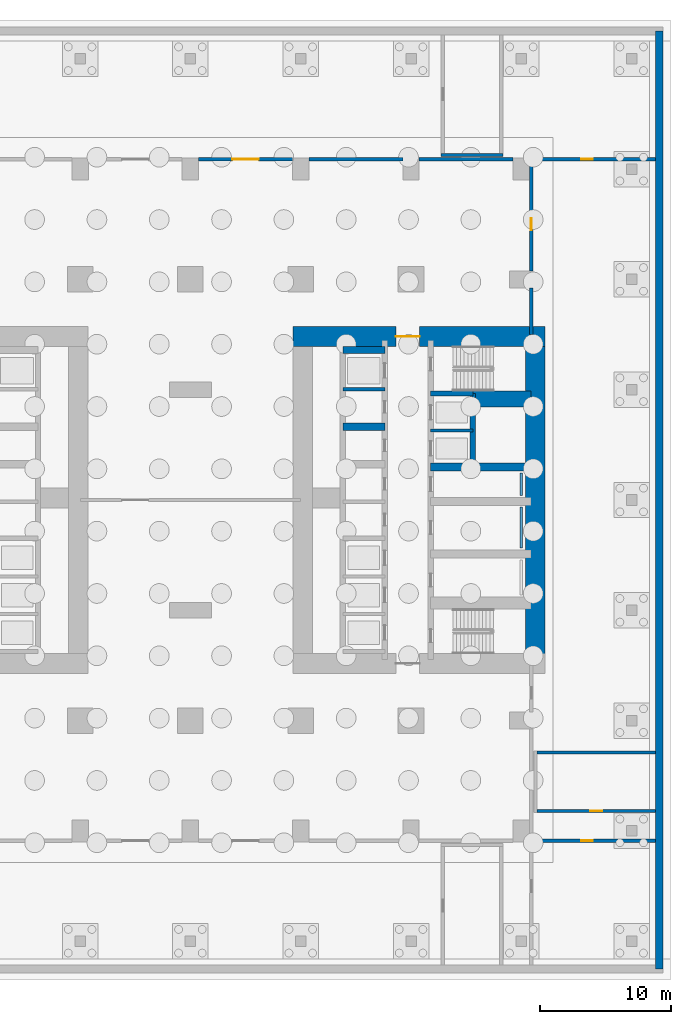
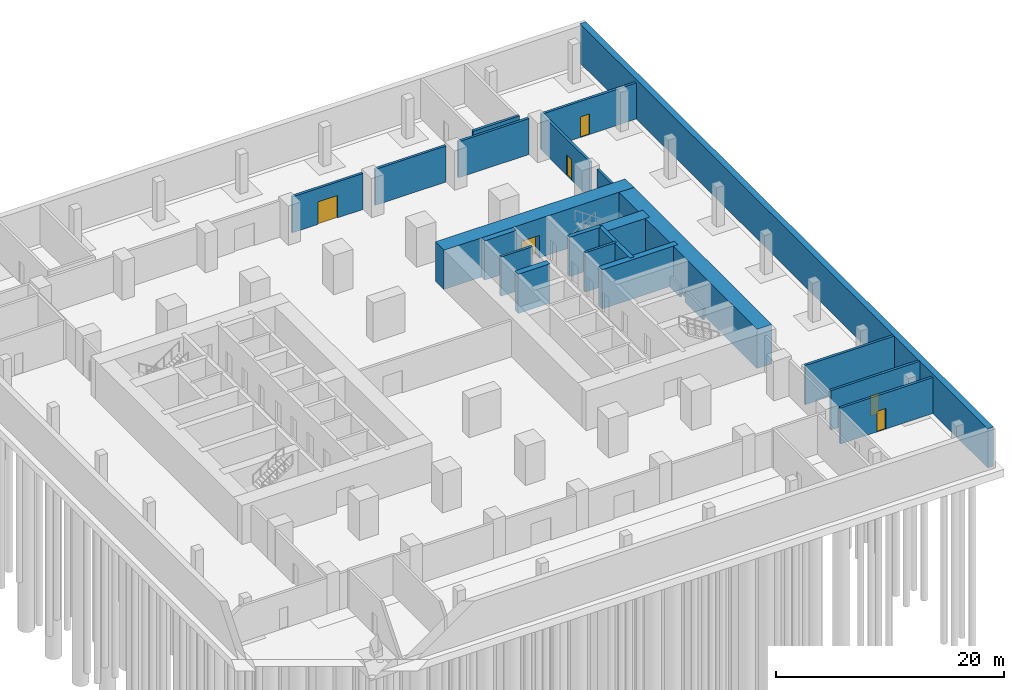
# One storey, part 7 of 11: 23 walls, 6 doors, 6 openings.
"""IFC4 building model written with IfcOpenShell, lengths in metres."""

from ifc_helpers import new_model, si_unit, direction, frame, frame_2d, origin, place, context, subcontext, project, spatial, rectangle, extrude, material, layer, layer_set, type_object, element, fill, save


model = new_model("IFC4")

# Units and contexts
model_context = context("Model", 3, precision=1e-05, world=origin(), true_north=direction((0.0, 1.0)))
body_context = subcontext(model_context, "Body", "Model", "MODEL_VIEW")
ifc_project = project(units=[si_unit("LENGTHUNIT", "METRE"), si_unit("AREAUNIT", "SQUARE_METRE"), si_unit("VOLUMEUNIT", "CUBIC_METRE"), si_unit("PLANEANGLEUNIT", "RADIAN"), si_unit("MASSUNIT", "GRAM", prefix="KILO")], contexts=[model_context])

# Site, building, storey
site_placement = place(None, origin())
site = spatial("IfcSite", under=ifc_project, at=site_placement, CompositionType="ELEMENT")
building_placement = place(site_placement, origin())
building = spatial("IfcBuilding", under=site, at=building_placement, Name="Claustro Exchange Tower", CompositionType="ELEMENT")
storey_placement = place(building_placement, frame((0.0, 0.0, -8.39990234375)))
storey = spatial("IfcBuildingStorey", under=building, at=storey_placement, Name="B2", CompositionType="ELEMENT", Elevation=-8.39990234375)

# Wall, opening, door
ifc_material_1 = material(Name="Concrete blockwork, rendered", Category="masonry")
ifc_layer_1 = layer(ifc_material_1, 0.25)
ifc_layer_set_1 = layer_set([ifc_layer_1], Name="Concrete blockwork, rendered")
wall_type_1 = type_object("IfcWallType", Name="P4 250 blockwork wall", PredefinedType="PARTITIONING", material=ifc_layer_set_1)
wall_1_placement = place(storey_placement, frame((51.27392578125, -0.75, 0.0), z_axis=(0.0, 0.0, 1.0), x_axis=(1.0, 0.0, 0.0)))
wall_1 = element("IfcWall", 1, at=wall_1_placement, inside=storey, type_object=wall_type_1, Name="Partition P4 B2", PredefinedType="PARTITIONING", context=body_context, shape_type="SweptSolid", body=[
    extrude(rectangle(XDim=9.328125, YDim=0.25, at=frame_2d((4.6640625, 0.0))), origin(), (0.0, 0.0, 1.0), 3.849853515625),
])
opening_1_placement = place(wall_1_placement, frame((3.676025390625, 0.0, 0.0)))
opening_1 = element("IfcOpeningElement", 2, at=opening_1_placement, cuts=wall_1, Name="Opening D12", PredefinedType="OPENING", context=body_context, shape_type="SweptSolid", body=[
    extrude(rectangle(XDim=0.89990234375, YDim=2.199951171875, at=frame_2d((0.449951171875, 1.10009765625))), frame((0.0, 0.135009765625, 0.0), z_axis=(0.0, -1.0, 0.0), x_axis=(1.0, 0.0, 0.0)), (0.0, 0.0, 1.0), 0.27001953125),
])
ifc_material_2 = material(Name="Steel door, painted", Category="steel")
door_type_1 = type_object("IfcDoorType", Name="D12 900 x 2200 plant and store room door", OperationType="SINGLE_SWING_LEFT", PredefinedType="DOOR", material=ifc_material_2)
door_1_placement = place(opening_1_placement, frame((0.89990234375, 0.0, 0.0), z_axis=(0.0, 0.0, 1.0), x_axis=(-1.0, 0.0, 0.0)))
door_1 = element("IfcDoor", 3, at=door_1_placement, inside=storey, type_object=door_type_1, Name="Door D12 B2", OperationType="SINGLE_SWING_RIGHT", OverallHeight=2.199951171875, OverallWidth=0.89990234375, PredefinedType="DOOR", context=body_context, shape_type="SweptSolid", body=[
    extrude(rectangle(XDim=0.89990234375, YDim=2.199951171875, at=frame_2d((0.449951171875, 1.10009765625))), frame((0.0, 0.02490234375, 0.0), z_axis=(0.0, -1.0, 0.0), x_axis=(1.0, 0.0, 0.0)), (0.0, 0.0, 1.0), 0.050048828125),
])
fill(opening_1, door_1)

wall_2_placement = place(storey_placement, frame((25.823974609375, 51.14990234375, 0.0), z_axis=(0.0, 0.0, 1.0), x_axis=(1.0, 0.0, 0.0)))
wall_2 = element("IfcWall", 4, at=wall_2_placement, inside=storey, type_object=wall_type_1, Name="Partition P4 B2", PredefinedType="PARTITIONING", context=body_context, shape_type="SweptSolid", body=[
    extrude(rectangle(XDim=7.152099609375, YDim=0.25, at=frame_2d((3.576171875, 0.0))), origin(), (0.0, 0.0, 1.0), 3.849853515625),
])
opening_2_placement = place(wall_2_placement, frame((2.575927734375, 0.0, 0.0)))
opening_2 = element("IfcOpeningElement", 5, at=opening_2_placement, cuts=wall_2, Name="Opening D9", PredefinedType="OPENING", context=body_context, shape_type="SweptSolid", body=[
    extrude(rectangle(XDim=2.0, YDim=2.39990234375, at=frame_2d((1.0, 1.199951171875))), frame((0.0, 0.135009765625, 0.0), z_axis=(0.0, -1.0, 0.0), x_axis=(1.0, 0.0, 0.0)), (0.0, 0.0, 1.0), 0.27001953125),
])
ifc_material_3 = material(Name="Steel fire door, painted", Category="steel")
door_type_2 = type_object("IfcDoorType", Name="D9 2000 x 2400 plant room double door", OperationType="DOUBLE_DOOR_SINGLE_SWING", PredefinedType="DOOR", material=ifc_material_3)
door_2_placement = place(opening_2_placement, frame((2.0, 0.0, 0.0), z_axis=(0.0, 0.0, 1.0), x_axis=(-1.0, 0.0, 0.0)))
door_2 = element("IfcDoor", 6, at=door_2_placement, inside=storey, type_object=door_type_2, Name="Double door D9 B2", OperationType="DOUBLE_DOOR_SINGLE_SWING", OverallHeight=2.39990234375, OverallWidth=2.0, PredefinedType="DOOR", context=body_context, shape_type="SweptSolid", body=[
    extrude(rectangle(XDim=2.0, YDim=2.39990234375, at=frame_2d((1.0, 1.199951171875))), frame((0.0, 0.02490234375, 0.0), z_axis=(0.0, -1.0, 0.0), x_axis=(1.0, 0.0, 0.0)), (0.0, 0.0, 1.0), 0.050048828125),
])
fill(opening_2, door_2)

# Walls
for number, where, z_axis, x_axis, name in (
    (7, (34.22412109375, 51.14990234375, 0.0), (0.0, 0.0, 1.0), (1.0, 0.0, 0.0), "Partition P4 B2"),
    (8, (42.6240234375, 51.14990234375, 0.0), (0.0, 0.0, 1.0), (1.0, 0.0, 0.0), "Partition P4 B2"),
):
    element("IfcWall", number, at=place(storey_placement, frame(where, z_axis=z_axis, x_axis=x_axis)), inside=storey, type_object=wall_type_1, Name=name, PredefinedType="PARTITIONING", context=body_context, shape_type="SweptSolid", body=[
        extrude(rectangle(XDim=7.15185546875, YDim=0.25, at=frame_2d((3.575927734375, 0.0))), origin(), (0.0, 0.0, 1.0), 3.849853515625),
    ])

# Wall, opening, door
wall_3_placement = place(storey_placement, frame((51.02392578125, 51.14990234375, 0.0), z_axis=(0.0, 0.0, 1.0), x_axis=(1.0, 0.0, 0.0)))
wall_3 = element("IfcWall", 9, at=wall_3_placement, inside=storey, type_object=wall_type_1, Name="Partition P4 B2", PredefinedType="PARTITIONING", context=body_context, shape_type="SweptSolid", body=[
    extrude(rectangle(XDim=9.578125, YDim=0.25, at=frame_2d((4.7890625, 0.0))), origin(), (0.0, 0.0, 1.0), 3.849853515625),
])
opening_3_placement = place(wall_3_placement, frame((3.926025390625, 0.0, 0.0)))
opening_3 = element("IfcOpeningElement", 10, at=opening_3_placement, cuts=wall_3, Name="Opening D12", PredefinedType="OPENING", context=body_context, shape_type="SweptSolid", body=[
    extrude(rectangle(XDim=0.89990234375, YDim=2.199951171875, at=frame_2d((0.449951171875, 1.10009765625))), frame((0.0, 0.135009765625, 0.0), z_axis=(0.0, -1.0, 0.0), x_axis=(1.0, 0.0, 0.0)), (0.0, 0.0, 1.0), 0.27001953125),
])
door_3_placement = place(opening_3_placement, frame((0.89990234375, 0.0, 0.0), z_axis=(0.0, 0.0, 1.0), x_axis=(-1.0, 0.0, 0.0)))
door_3 = element("IfcDoor", 11, at=door_3_placement, inside=storey, type_object=door_type_1, Name="Door D12 B2", OperationType="SINGLE_SWING_RIGHT", OverallHeight=2.199951171875, OverallWidth=0.89990234375, PredefinedType="DOOR", context=body_context, shape_type="SweptSolid", body=[
    extrude(rectangle(XDim=0.89990234375, YDim=2.199951171875, at=frame_2d((0.449951171875, 1.10009765625))), frame((0.0, 0.02490234375, 0.0), z_axis=(0.0, -1.0, 0.0), x_axis=(1.0, 0.0, 0.0)), (0.0, 0.0, 1.0), 0.050048828125),
])
fill(opening_3, door_3)

# Wall
wall_4_placement = place(storey_placement, frame((51.14990234375, 37.820068359375, 0.0), z_axis=(0.0, 0.0, 1.0), x_axis=(0.0, 1.0, 0.0)))
element("IfcWall", 12, at=wall_4_placement, inside=storey, type_object=wall_type_1, Name="Partition P4 B2", PredefinedType="PARTITIONING", context=body_context, shape_type="SweptSolid", body=[
    extrude(rectangle(XDim=3.531005859375, YDim=0.25, at=frame_2d((1.765625, 0.0))), origin(), (0.0, 0.0, 1.0), 3.849853515625),
])

# Wall, opening, door
wall_5_placement = place(storey_placement, frame((51.14990234375, 42.64892578125, 0.0), z_axis=(0.0, 0.0, 1.0), x_axis=(0.0, 1.0, 0.0)))
wall_5 = element("IfcWall", 13, at=wall_5_placement, inside=storey, type_object=wall_type_1, Name="Partition P4 B2", PredefinedType="PARTITIONING", context=body_context, shape_type="SweptSolid", body=[
    extrude(rectangle(XDim=8.376953125, YDim=0.25, at=frame_2d((4.1884765625, 0.0))), origin(), (0.0, 0.0, 1.0), 3.849853515625),
])
opening_4_placement = place(wall_5_placement, frame((3.10107421875, 0.0, 0.0)))
opening_4 = element("IfcOpeningElement", 14, at=opening_4_placement, cuts=wall_5, Name="Opening D12", PredefinedType="OPENING", context=body_context, shape_type="SweptSolid", body=[
    extrude(rectangle(XDim=0.89990234375, YDim=2.199951171875, at=frame_2d((0.449951171875, 1.10009765625))), frame((0.0, 0.135009765625, 0.0), z_axis=(0.0, -1.0, 0.0), x_axis=(1.0, 0.0, 0.0)), (0.0, 0.0, 1.0), 0.27001953125),
])
door_4_placement = place(opening_4_placement, frame((0.89990234375, 0.0, 0.0), z_axis=(0.0, 0.0, 1.0), x_axis=(-1.0, 0.0, 0.0)))
door_4 = element("IfcDoor", 15, at=door_4_placement, inside=storey, type_object=door_type_1, Name="Door D12 B2", OperationType="SINGLE_SWING_LEFT", OverallHeight=2.199951171875, OverallWidth=0.89990234375, PredefinedType="DOOR", context=body_context, shape_type="SweptSolid", body=[
    extrude(rectangle(XDim=0.89990234375, YDim=2.199951171875, at=frame_2d((0.449951171875, 1.10009765625))), frame((0.0, 0.02490234375, 0.0), z_axis=(0.0, -1.0, 0.0), x_axis=(1.0, 0.0, 0.0)), (0.0, 0.0, 1.0), 0.050048828125),
])
fill(opening_4, door_4)

# Walls
ifc_material_4 = material(Name="Gypsum board on steel studs, tiled", Category="steel")
ifc_layer_2 = layer(ifc_material_4, 0.199951171875)
ifc_layer_set_2 = layer_set([ifc_layer_2], Name="Gypsum board on steel studs, tiled")
wall_type_2 = type_object("IfcWallType", Name="PW1 200 WC duct wall", PredefinedType="PLUMBINGWALL", material=ifc_layer_set_2)
wall_6_placement = place(storey_placement, frame((50.39990234375, 21.550048828125, 0.0), z_axis=(0.0, 0.0, 1.0), x_axis=(0.0, 1.0, 0.0)))
element("IfcWall", 16, at=wall_6_placement, inside=storey, type_object=wall_type_2, Name="WC duct wall PW1 B2", PredefinedType="PLUMBINGWALL", context=body_context, shape_type="SweptSolid", body=[
    extrude(rectangle(XDim=3.099853515625, YDim=0.199951171875, at=frame_2d((1.5498046875, 0.0))), origin(), (0.0, 0.0, 1.0), 1.199951171875),
])
wall_7_placement = place(storey_placement, frame((50.39990234375, 25.550048828125, 0.0), z_axis=(0.0, 0.0, 1.0), x_axis=(0.0, 1.0, 0.0)))
element("IfcWall", 17, at=wall_7_placement, inside=storey, type_object=wall_type_2, Name="WC duct wall PW1 B2", PredefinedType="PLUMBINGWALL", context=body_context, shape_type="SweptSolid", body=[
    extrude(rectangle(XDim=1.699951171875, YDim=0.199951171875, at=frame_2d((0.85009765625, 0.0))), origin(), (0.0, 0.0, 1.0), 1.199951171875),
])
ifc_material_5 = material(Name="Concrete HA-40 (C40/50)", Category="concrete")
ifc_layer_3 = layer(ifc_material_5, 0.60009765625)
ifc_layer_set_3 = layer_set([ifc_layer_3], Name="Concrete HA-40 (C40/50)")
wall_type_3 = type_object("IfcWallType", Name="RW1 600 basement retaining wall", PredefinedType="SOLIDWALL", material=ifc_layer_set_3)
wall_8_placement = place(storey_placement, frame((60.89990234375, -10.5, 0.0), z_axis=(0.0, 0.0, 1.0), x_axis=(0.0, 1.0, 0.0)))
element("IfcWall", 18, at=wall_8_placement, inside=storey, type_object=wall_type_3, Name="Retaining wall RW1 E B2", PredefinedType="SOLIDWALL", context=body_context, shape_type="SweptSolid", body=[
    extrude(rectangle(XDim=71.39990234375, YDim=0.60009765625, at=frame_2d((35.699951171875, 0.0))), origin(), (0.0, 0.0, 1.0), 4.199951171875),
])

# Wall, opening, door
ifc_material_6 = material(Name="Concrete HA-70 (C70/85)", Category="concrete")
ifc_layer_4 = layer(ifc_material_6, 1.5)
ifc_layer_set_4 = layer_set([ifc_layer_4], Name="Concrete HA-70 (C70/85)")
wall_type_4 = type_object("IfcWallType", Name="SW10 1500 core shear wall", PredefinedType="SHEAR", material=ifc_layer_set_4)
wall_9_placement = place(storey_placement, frame((33.0, 37.64990234375, 0.0), z_axis=(0.0, 0.0, 1.0), x_axis=(1.0, 0.0, 0.0)))
wall_9 = element("IfcWall", 19, at=wall_9_placement, inside=storey, type_object=wall_type_4, Name="Core wall SW10 E core N face B2", PredefinedType="SHEAR", context=body_context, shape_type="SweptSolid", body=[
    extrude(rectangle(XDim=19.199951171875, YDim=1.5, at=frame_2d((9.60009765625, 0.0))), origin(), (0.0, 0.0, 1.0), 4.199951171875),
])
opening_5_placement = place(wall_9_placement, frame((7.85009765625, 0.0, 0.0)))
opening_5 = element("IfcOpeningElement", 20, at=opening_5_placement, cuts=wall_9, Name="Opening D3", PredefinedType="OPENING", context=body_context, shape_type="SweptSolid", body=[
    extrude(rectangle(XDim=1.800048828125, YDim=2.39990234375, at=frame_2d((0.89990234375, 1.199951171875))), frame((0.0, 0.760009765625, 0.0), z_axis=(0.0, -1.0, 0.0), x_axis=(1.0, 0.0, 0.0)), (0.0, 0.0, 1.0), 1.52001953125),
])
ifc_material_7 = material(Name="Steel fire door, painted", Category="steel")
door_type_3 = type_object("IfcDoorType", Name="D3 1800 x 2400 fire-rated lobby double door", OperationType="DOUBLE_DOOR_SINGLE_SWING", PredefinedType="DOOR", material=ifc_material_7)
door_5_placement = place(opening_5_placement, origin())
door_5 = element("IfcDoor", 21, at=door_5_placement, inside=storey, type_object=door_type_3, Name="Lift lobby door D3 B2", OperationType="DOUBLE_DOOR_SINGLE_SWING", OverallHeight=2.39990234375, OverallWidth=1.800048828125, PredefinedType="DOOR", context=body_context, shape_type="SweptSolid", body=[
    extrude(rectangle(XDim=1.800048828125, YDim=2.39990234375, at=frame_2d((0.89990234375, 1.199951171875))), frame((0.0, 0.02490234375, 0.0), z_axis=(0.0, -1.0, 0.0), x_axis=(1.0, 0.0, 0.0)), (0.0, 0.0, 1.0), 0.050048828125),
])
fill(opening_5, door_5)

# Walls
ifc_material_8 = material(Name="Concrete HA-70 (C70/85)", Category="concrete")
ifc_layer_5 = layer(ifc_material_8, 1.5)
ifc_layer_set_5 = layer_set([ifc_layer_5], Name="Concrete HA-70 (C70/85)")
wall_type_5 = type_object("IfcWallType", Name="SW10X 1500 exposed core shear wall, board-marked face", PredefinedType="SHEAR", material=ifc_layer_set_5)
wall_10_placement = place(storey_placement, frame((51.449951171875, 12.75, 0.0), z_axis=(0.0, 0.0, 1.0), x_axis=(0.0, 1.0, 0.0)))
element("IfcWall", 22, at=wall_10_placement, inside=storey, type_object=wall_type_5, Name="Core wall SW10X E core E face B2", PredefinedType="SHEAR", context=body_context, shape_type="SweptSolid", body=[
    extrude(rectangle(XDim=24.89990234375, YDim=1.5, at=frame_2d((12.449951171875, 0.0))), origin(), (0.0, 0.0, 1.0), 4.199951171875),
])
ifc_material_9 = material(Name="Concrete HA-50 (C50/60)", Category="concrete")
ifc_layer_6 = layer(ifc_material_9, 0.60009765625)
ifc_layer_set_6 = layer_set([ifc_layer_6], Name="Concrete HA-50 (C50/60)")
wall_type_6 = type_object("IfcWallType", Name="SW12 600 internal core wall, core base", PredefinedType="SHEAR", material=ifc_layer_set_6)
wall_11_placement = place(storey_placement, frame((51.14990234375, 27.699951171875, 0.0), z_axis=(0.0, 0.0, 1.0), x_axis=(-1.0, 0.0, 0.0)))
element("IfcWall", 23, at=wall_11_placement, inside=storey, type_object=wall_type_6, Name="Internal core wall E core B2", PredefinedType="SHEAR", context=body_context, shape_type="SweptSolid", body=[
    extrude(rectangle(XDim=7.64990234375, YDim=0.60009765625, at=frame_2d((3.824951171875, 0.0))), origin(), (0.0, 0.0, 1.0), 4.199951171875),
])
ifc_material_10 = material(Name="Concrete HA-70 (C70/85)", Category="concrete")
ifc_layer_7 = layer(ifc_material_10, 0.39990234375)
ifc_layer_set_7 = layer_set([ifc_layer_7], Name="Concrete HA-70 (C70/85)")
wall_type_7 = type_object("IfcWallType", Name="SW4B 400 internal core wall HA-70", PredefinedType="SHEAR", material=ifc_layer_set_7)
wall_12_placement = place(storey_placement, frame((46.699951171875, 33.300048828125, 0.0), z_axis=(0.0, 0.0, 1.0), x_axis=(-1.0, 0.0, 0.0)))
element("IfcWall", 24, at=wall_12_placement, inside=storey, type_object=wall_type_7, Name="Internal core wall SW4 E core B2", PredefinedType="SHEAR", context=body_context, shape_type="SweptSolid", body=[
    extrude(rectangle(XDim=3.199951171875, YDim=0.39990234375, at=frame_2d((1.60009765625, 0.0))), origin(), (0.0, 0.0, 1.0), 4.199951171875),
])
wall_13_placement = place(storey_placement, frame((46.699951171875, 27.699951171875, 0.0), z_axis=(0.0, 0.0, 1.0), x_axis=(0.0, 1.0, 0.0)))
element("IfcWall", 25, at=wall_13_placement, inside=storey, type_object=wall_type_7, Name="Internal core wall SW4 E core B2", PredefinedType="SHEAR", context=body_context, shape_type="SweptSolid", body=[
    extrude(rectangle(XDim=5.60009765625, YDim=0.39990234375, at=frame_2d((2.800048828125, 0.0))), origin(), (0.0, 0.0, 1.0), 4.199951171875),
])
ifc_material_11 = material(Name="Concrete HA-50 (C50/60)", Category="concrete")
ifc_layer_8 = layer(ifc_material_11, 0.25)
ifc_layer_set_8 = layer_set([ifc_layer_8], Name="Concrete HA-50 (C50/60)")
wall_type_8 = type_object("IfcWallType", Name="SW5 250 lift shaft divider wall", PredefinedType="SHEAR", material=ifc_layer_set_8)
for number, where, z_axis, x_axis, name in (
    (26, (46.699951171875, 30.5, 0.0), (0.0, 0.0, 1.0), (-1.0, 0.0, 0.0), "Lift shaft wall E core B2"),
    (27, (40.0, 33.625, 0.0), (0.0, 0.0, 1.0), (-1.0, 0.0, 0.0), "Lift shaft wall E core B2"),
):
    element("IfcWall", number, at=place(storey_placement, frame(where, z_axis=z_axis, x_axis=x_axis)), inside=storey, type_object=wall_type_8, Name=name, PredefinedType="SHEAR", context=body_context, shape_type="SweptSolid", body=[
        extrude(rectangle(XDim=3.199951171875, YDim=0.25, at=frame_2d((1.60009765625, 0.0))), origin(), (0.0, 0.0, 1.0), 4.199951171875),
    ])
ifc_material_12 = material(Name="Concrete HA-50 (C50/60)", Category="concrete")
ifc_layer_9 = layer(ifc_material_12, 0.550048828125)
ifc_layer_set_9 = layer_set([ifc_layer_9], Name="Concrete HA-50 (C50/60)")
wall_type_9 = type_object("IfcWallType", Name="SW6 550 lift shaft end wall", PredefinedType="SHEAR", material=ifc_layer_set_9)
wall_14_placement = place(storey_placement, frame((40.0, 36.625, 0.0), z_axis=(0.0, 0.0, 1.0), x_axis=(-1.0, 0.0, 0.0)))
element("IfcWall", 28, at=wall_14_placement, inside=storey, type_object=wall_type_9, Name="Lift shaft wall E core B2", PredefinedType="SHEAR", context=body_context, shape_type="SweptSolid", body=[
    extrude(rectangle(XDim=3.199951171875, YDim=0.550048828125, at=frame_2d((1.60009765625, 0.0))), origin(), (0.0, 0.0, 1.0), 4.199951171875),
])
ifc_material_13 = material(Name="Concrete HA-50 (C50/60)", Category="concrete")
ifc_layer_10 = layer(ifc_material_13, 0.60009765625)
ifc_layer_set_10 = layer_set([ifc_layer_10], Name="Concrete HA-50 (C50/60)")
wall_type_10 = type_object("IfcWallType", Name="SW6C 600 lift shaft end wall", PredefinedType="SHEAR", material=ifc_layer_set_10)
wall_15_placement = place(storey_placement, frame((40.0, 30.77490234375, 0.0), z_axis=(0.0, 0.0, 1.0), x_axis=(-1.0, 0.0, 0.0)))
element("IfcWall", 29, at=wall_15_placement, inside=storey, type_object=wall_type_10, Name="Lift shaft wall E core B2", PredefinedType="SHEAR", context=body_context, shape_type="SweptSolid", body=[
    extrude(rectangle(XDim=3.199951171875, YDim=0.60009765625, at=frame_2d((1.60009765625, 0.0))), origin(), (0.0, 0.0, 1.0), 4.199951171875),
])
ifc_material_14 = material(Name="Concrete HA-40 (C40/50)", Category="concrete")
ifc_layer_11 = layer(ifc_material_14, 0.25)
ifc_layer_set_11 = layer_set([ifc_layer_11], Name="Concrete HA-40 (C40/50)")
wall_type_11 = type_object("IfcWallType", Name="SW7 250 reinforced concrete stair wall", PredefinedType="SOLIDWALL", material=ifc_layer_set_11)
wall_16_placement = place(storey_placement, frame((44.300048828125, 51.47509765625, 0.0), z_axis=(0.0, 0.0, 1.0), x_axis=(1.0, 0.0, 0.0)))
element("IfcWall", 30, at=wall_16_placement, inside=storey, type_object=wall_type_11, Name="Stair enclosure wall STP4 SW7 B2", PredefinedType="SOLIDWALL", context=body_context, shape_type="SweptSolid", body=[
    extrude(rectangle(XDim=4.699951171875, YDim=0.25, at=frame_2d((2.35009765625, 0.0))), origin(), (0.0, 0.0, 1.0), 4.199951171875),
])

# Wall, opening, door
wall_17_placement = place(storey_placement, frame((60.60205078125, 1.52490234375, 0.0), z_axis=(0.0, 0.0, 1.0), x_axis=(-1.0, 0.0, 0.0)))
wall_17 = element("IfcWall", 31, at=wall_17_placement, inside=storey, type_object=wall_type_11, Name="Stair enclosure wall STP6 SW7 B2", PredefinedType="SOLIDWALL", context=body_context, shape_type="SweptSolid", body=[
    extrude(rectangle(XDim=9.001953125, YDim=0.25, at=frame_2d((4.5009765625, 0.0))), origin(), (0.0, 0.0, 1.0), 4.199951171875),
])
opening_6_placement = place(wall_17_placement, frame((4.050048828125, 0.0, 0.0)))
opening_6 = element("IfcOpeningElement", 32, at=opening_6_placement, cuts=wall_17, Name="Opening D12", PredefinedType="OPENING", context=body_context, shape_type="SweptSolid", body=[
    extrude(rectangle(XDim=0.89990234375, YDim=2.199951171875, at=frame_2d((0.449951171875, 1.10009765625))), frame((0.0, 0.135009765625, 0.0), z_axis=(0.0, -1.0, 0.0), x_axis=(1.0, 0.0, 0.0)), (0.0, 0.0, 1.0), 0.27001953125),
])
door_6_placement = place(opening_6_placement, frame((0.89990234375, 0.0, 0.0), z_axis=(0.0, 0.0, 1.0), x_axis=(-1.0, 0.0, 0.0)))
door_6 = element("IfcDoor", 33, at=door_6_placement, inside=storey, type_object=door_type_1, Name="Store door STP6 D12 B2", OperationType="SINGLE_SWING_RIGHT", OverallHeight=2.199951171875, OverallWidth=0.89990234375, PredefinedType="DOOR", context=body_context, shape_type="SweptSolid", body=[
    extrude(rectangle(XDim=0.89990234375, YDim=2.199951171875, at=frame_2d((0.449951171875, 1.10009765625))), frame((0.0, 0.02490234375, 0.0), z_axis=(0.0, -1.0, 0.0), x_axis=(1.0, 0.0, 0.0)), (0.0, 0.0, 1.0), 0.050048828125),
])
fill(opening_6, door_6)

# Walls
wall_18_placement = place(storey_placement, frame((60.60205078125, 5.97509765625, 0.0), z_axis=(0.0, 0.0, 1.0), x_axis=(-1.0, 0.0, 0.0)))
element("IfcWall", 34, at=wall_18_placement, inside=storey, type_object=wall_type_11, Name="Stair enclosure wall STP6 SW7 B2", PredefinedType="SOLIDWALL", context=body_context, shape_type="SweptSolid", body=[
    extrude(rectangle(XDim=9.001953125, YDim=0.25, at=frame_2d((4.5009765625, 0.0))), origin(), (0.0, 0.0, 1.0), 4.199951171875),
])
ifc_material_15 = material(Name="Concrete HA-70 (C70/85)", Category="concrete")
ifc_layer_12 = layer(ifc_material_15, 1.199951171875)
ifc_layer_set_12 = layer_set([ifc_layer_12], Name="Concrete HA-70 (C70/85)")
wall_type_12 = type_object("IfcWallType", Name="SW9 1200 internal core wall, core base", PredefinedType="SHEAR", material=ifc_layer_set_12)
wall_19_placement = place(storey_placement, frame((51.14990234375, 32.89990234375, 0.0), z_axis=(0.0, 0.0, 1.0), x_axis=(-1.0, 0.0, 0.0)))
element("IfcWall", 35, at=wall_19_placement, inside=storey, type_object=wall_type_12, Name="Internal core wall E core B2", PredefinedType="SHEAR", context=body_context, shape_type="SweptSolid", body=[
    extrude(rectangle(XDim=4.449951171875, YDim=1.199951171875, at=frame_2d((2.22509765625, 0.0))), origin(), (0.0, 0.0, 1.0), 4.199951171875),
])

save(model, "model.ifc")
